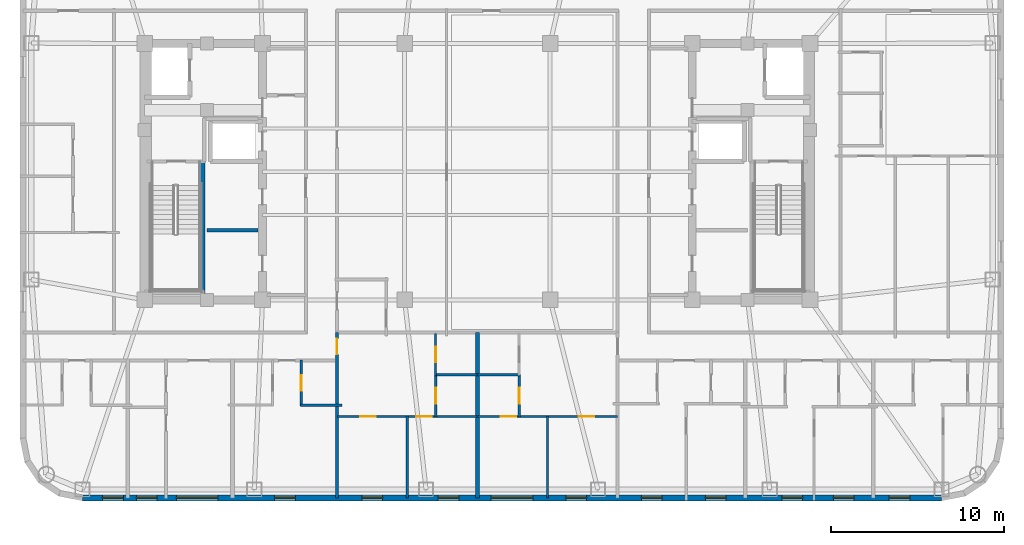
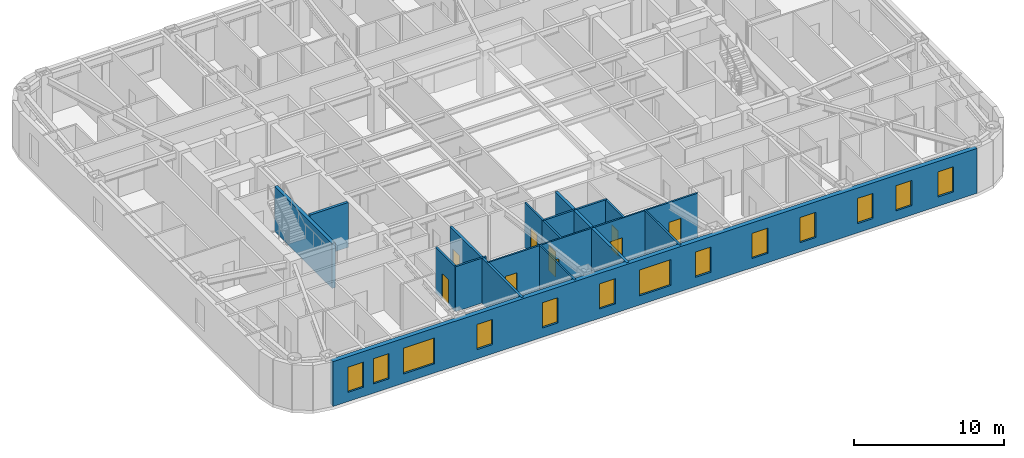
# One storey, part 3 of 11: 16 walls, 13 windows, 9 doors, 22 openings.
"""IFC4 building model written with IfcOpenShell, lengths in metres."""

from ifc_helpers import new_model, si_unit, direction, frame, frame_2d, origin, place, context, subcontext, project, spatial, rectangle, extrude, material, layer, layer_set, type_object, element, fill, save


model = new_model("IFC4")

# Units and contexts
model_context = context("Model", 3, precision=1e-05, world=origin(), true_north=direction((0.0, 1.0)))
body_context = subcontext(model_context, "Body", "Model", "MODEL_VIEW")
ifc_project = project(units=[si_unit("LENGTHUNIT", "METRE"), si_unit("AREAUNIT", "SQUARE_METRE"), si_unit("VOLUMEUNIT", "CUBIC_METRE"), si_unit("PLANEANGLEUNIT", "RADIAN"), si_unit("MASSUNIT", "GRAM", prefix="KILO")], contexts=[model_context])

# Site, building, storey
site_placement = place(None, origin())
site = spatial("IfcSite", under=ifc_project, at=site_placement, CompositionType="ELEMENT")
building_placement = place(site_placement, origin())
building = spatial("IfcBuilding", under=site, at=building_placement, Name="Voryun Gate Residences", CompositionType="ELEMENT")
storey_placement = place(building_placement, frame((0.0, 0.0, 243.10009765625)))
storey = spatial("IfcBuildingStorey", under=building, at=storey_placement, Name="L60", CompositionType="ELEMENT", Elevation=243.10009765625)

# Wall, opening, door
ifc_material_1 = material(Name="Gypsum acoustic fireboard")
ifc_layer_1 = layer(ifc_material_1, 0.179931640625, Name="W_CORR_RATED_180")
ifc_layer_set_1 = layer_set([ifc_layer_1], Name="Gypsum acoustic fireboard")
wall_type_1 = type_object("IfcWallType", Name="W_CORR_RATED_180", PredefinedType="PARTITIONING", material=ifc_layer_set_1)
wall_1_placement = place(storey_placement, frame((-8.10009765625, -18.830078125, 0.0), z_axis=(0.0, 0.0, 1.0), x_axis=(0.0, 1.0, 0.0)))
wall_1 = element("IfcWall", 1, at=wall_1_placement, inside=storey, type_object=wall_type_1, Name="Partition wall WP-L60-SZV-1", PredefinedType="PARTITIONING", context=body_context, shape_type="SweptSolid", body=[
    extrude(rectangle(XDim=9.5400390625, YDim=0.179931640625, at=frame_2d((4.77001953125, 0.0))), origin(), (0.0, 0.0, 1.0), 3.64990234375),
])
opening_1_placement = place(wall_1_placement, frame((8.28955078125, 0.0, 0.0)))
opening_1 = element("IfcOpeningElement", 2, at=opening_1_placement, cuts=wall_1, Name="Opening D-INT-2", PredefinedType="OPENING", context=body_context, shape_type="SweptSolid", body=[
    extrude(rectangle(XDim=0.89990234375, YDim=2.050048828125, at=frame_2d((0.449951171875, 1.02490234375))), frame((0.0, 0.099853515625, 0.0), z_axis=(0.0, -1.0, 0.0), x_axis=(1.0, 0.0, 0.0)), (0.0, 0.0, 1.0), 0.199951171875),
])
ifc_material_2 = material(Name="Architectural oak veneer")
door_type = type_object("IfcDoorType", Name="DR_INT_BATH_900", OperationType="NOTDEFINED", PredefinedType="DOOR", material=ifc_material_2)
door_1_placement = place(opening_1_placement, origin())
door_1 = element("IfcDoor", 3, at=door_1_placement, inside=storey, type_object=door_type, Name="Door DR-L60-SZENT-1", OperationType="SINGLE_SWING_LEFT", OverallHeight=2.050048828125, OverallWidth=0.89990234375, PredefinedType="DOOR", context=body_context, shape_type="SweptSolid", body=[
    extrude(rectangle(XDim=0.89990234375, YDim=2.050048828125, at=frame_2d((0.449951171875, 1.02490234375))), frame((0.0, 0.02490234375, 0.0), z_axis=(0.0, -1.0, 0.0), x_axis=(1.0, 0.0, 0.0)), (0.0, 0.0, 1.0), 0.050048828125),
])
fill(opening_1, door_1)

# Wall, openings, windows
ifc_material_3 = material(Name="Charcoal terracotta masonry", Category="masonry")
ifc_layer_2 = layer(ifc_material_3, 0.340087890625, Name="W_EXT_TERRACOTTA_340")
ifc_layer_set_2 = layer_set([ifc_layer_2], Name="Charcoal terracotta masonry")
wall_type_2 = type_object("IfcWallType", Name="W_EXT_TERRACOTTA_340", PredefinedType="ELEMENTEDWALL", material=ifc_layer_set_2)
wall_2_placement = place(storey_placement, frame((26.783203125, -18.830078125, 0.0), z_axis=(0.0, 0.0, 1.0), x_axis=(-1.0, 0.0, 0.0)))
wall_2 = element("IfcWall", 4, at=wall_2_placement, inside=storey, type_object=wall_type_2, Name="Exterior wall WEXT-L60-01", PredefinedType="ELEMENTEDWALL", context=body_context, shape_type="SweptSolid", body=[
    extrude(rectangle(XDim=49.56640625, YDim=0.340087890625, at=frame_2d((24.783203125, 0.0))), origin(), (0.0, 0.0, 1.0), 3.64990234375),
])
opening_2_placement = place(wall_2_placement, frame((23.583251953125, 0.0, 0.75)))
opening_2 = element("IfcOpeningElement", 5, at=opening_2_placement, cuts=wall_2, Name="Opening WN2", PredefinedType="OPENING", context=body_context, shape_type="SweptSolid", body=[
    extrude(rectangle(XDim=2.39990234375, YDim=2.10009765625, at=frame_2d((1.199951171875, 1.050048828125))), frame((0.0, 0.179931640625, 0.0), z_axis=(0.0, -1.0, 0.0), x_axis=(1.0, 0.0, 0.0)), (0.0, 0.0, 1.0), 0.360107421875),
])
opening_3_placement = place(wall_2_placement, frame((41.755615234375, 0.0, 0.75)))
opening_3 = element("IfcOpeningElement", 6, at=opening_3_placement, cuts=wall_2, Name="Opening WN2", PredefinedType="OPENING", context=body_context, shape_type="SweptSolid", body=[
    extrude(rectangle(XDim=2.39990234375, YDim=2.10009765625, at=frame_2d((1.199951171875, 1.050048828125))), frame((0.0, 0.179931640625, 0.0), z_axis=(0.0, -1.0, 0.0), x_axis=(1.0, 0.0, 0.0)), (0.0, 0.0, 1.0), 0.360107421875),
])
opening_4_placement = place(wall_2_placement, frame((47.222412109375, 0.0, 0.75)))
opening_4 = element("IfcOpeningElement", 7, at=opening_4_placement, cuts=wall_2, Name="Opening WN6", PredefinedType="OPENING", context=body_context, shape_type="SweptSolid", body=[
    extrude(rectangle(XDim=1.199951171875, YDim=2.050048828125, at=frame_2d((0.60009765625, 1.02490234375))), frame((0.0, 0.179931640625, 0.0), z_axis=(0.0, -1.0, 0.0), x_axis=(1.0, 0.0, 0.0)), (0.0, 0.0, 1.0), 0.360107421875),
])
opening_5_placement = place(wall_2_placement, frame((45.26318359375, 0.0, 0.75)))
opening_5 = element("IfcOpeningElement", 8, at=opening_5_placement, cuts=wall_2, Name="Opening WN6", PredefinedType="OPENING", context=body_context, shape_type="SweptSolid", body=[
    extrude(rectangle(XDim=1.199951171875, YDim=2.050048828125, at=frame_2d((0.60009765625, 1.02490234375))), frame((0.0, 0.179931640625, 0.0), z_axis=(0.0, -1.0, 0.0), x_axis=(1.0, 0.0, 0.0)), (0.0, 0.0, 1.0), 0.360107421875),
])
opening_6_placement = place(wall_2_placement, frame((37.289306640625, 0.0, 0.75)))
opening_6 = element("IfcOpeningElement", 9, at=opening_6_placement, cuts=wall_2, Name="Opening WN6", PredefinedType="OPENING", context=body_context, shape_type="SweptSolid", body=[
    extrude(rectangle(XDim=1.199951171875, YDim=2.050048828125, at=frame_2d((0.60009765625, 1.02490234375))), frame((0.0, 0.179931640625, 0.0), z_axis=(0.0, -1.0, 0.0), x_axis=(1.0, 0.0, 0.0)), (0.0, 0.0, 1.0), 0.360107421875),
])
opening_7_placement = place(wall_2_placement, frame((16.115234375, 0.0, 0.75)))
opening_7 = element("IfcOpeningElement", 10, at=opening_7_placement, cuts=wall_2, Name="Opening WN6", PredefinedType="OPENING", context=body_context, shape_type="SweptSolid", body=[
    extrude(rectangle(XDim=1.199951171875, YDim=2.050048828125, at=frame_2d((0.60009765625, 1.02490234375))), frame((0.0, 0.179931640625, 0.0), z_axis=(0.0, -1.0, 0.0), x_axis=(1.0, 0.0, 0.0)), (0.0, 0.0, 1.0), 0.360107421875),
])
opening_8_placement = place(wall_2_placement, frame((12.42236328125, 0.0, 0.75)))
opening_8 = element("IfcOpeningElement", 11, at=opening_8_placement, cuts=wall_2, Name="Opening WN6", PredefinedType="OPENING", context=body_context, shape_type="SweptSolid", body=[
    extrude(rectangle(XDim=1.199951171875, YDim=2.050048828125, at=frame_2d((0.60009765625, 1.02490234375))), frame((0.0, 0.179931640625, 0.0), z_axis=(0.0, -1.0, 0.0), x_axis=(1.0, 0.0, 0.0)), (0.0, 0.0, 1.0), 0.360107421875),
])
opening_9_placement = place(wall_2_placement, frame((8.009765625, 0.0, 0.75)))
opening_9 = element("IfcOpeningElement", 12, at=opening_9_placement, cuts=wall_2, Name="Opening WN6", PredefinedType="OPENING", context=body_context, shape_type="SweptSolid", body=[
    extrude(rectangle(XDim=1.199951171875, YDim=2.050048828125, at=frame_2d((0.60009765625, 1.02490234375))), frame((0.0, 0.179931640625, 0.0), z_axis=(0.0, -1.0, 0.0), x_axis=(1.0, 0.0, 0.0)), (0.0, 0.0, 1.0), 0.360107421875),
])
opening_10_placement = place(wall_2_placement, frame((5.037353515625, 0.0, 0.75)))
opening_10 = element("IfcOpeningElement", 13, at=opening_10_placement, cuts=wall_2, Name="Opening WN6", PredefinedType="OPENING", context=body_context, shape_type="SweptSolid", body=[
    extrude(rectangle(XDim=1.199951171875, YDim=2.050048828125, at=frame_2d((0.60009765625, 1.02490234375))), frame((0.0, 0.179931640625, 0.0), z_axis=(0.0, -1.0, 0.0), x_axis=(1.0, 0.0, 0.0)), (0.0, 0.0, 1.0), 0.360107421875),
])
opening_11_placement = place(wall_2_placement, frame((1.81103515625, 0.0, 0.75)))
opening_11 = element("IfcOpeningElement", 14, at=opening_11_placement, cuts=wall_2, Name="Opening WN6", PredefinedType="OPENING", context=body_context, shape_type="SweptSolid", body=[
    extrude(rectangle(XDim=1.199951171875, YDim=2.050048828125, at=frame_2d((0.60009765625, 1.02490234375))), frame((0.0, 0.179931640625, 0.0), z_axis=(0.0, -1.0, 0.0), x_axis=(1.0, 0.0, 0.0)), (0.0, 0.0, 1.0), 0.360107421875),
])
opening_12_placement = place(wall_2_placement, frame((32.25341796875, 0.0, 0.75)))
opening_12 = element("IfcOpeningElement", 15, at=opening_12_placement, cuts=wall_2, Name="Opening WN6", PredefinedType="OPENING", context=body_context, shape_type="SweptSolid", body=[
    extrude(rectangle(XDim=1.199951171875, YDim=2.050048828125, at=frame_2d((0.60009765625, 1.02490234375))), frame((0.0, 0.179931640625, 0.0), z_axis=(0.0, -1.0, 0.0), x_axis=(1.0, 0.0, 0.0)), (0.0, 0.0, 1.0), 0.360107421875),
])
opening_13_placement = place(wall_2_placement, frame((27.853271484375, 0.0, 0.75)))
opening_13 = element("IfcOpeningElement", 16, at=opening_13_placement, cuts=wall_2, Name="Opening WN6", PredefinedType="OPENING", context=body_context, shape_type="SweptSolid", body=[
    extrude(rectangle(XDim=1.199951171875, YDim=2.050048828125, at=frame_2d((0.60009765625, 1.02490234375))), frame((0.0, 0.179931640625, 0.0), z_axis=(0.0, -1.0, 0.0), x_axis=(1.0, 0.0, 0.0)), (0.0, 0.0, 1.0), 0.360107421875),
])
opening_14_placement = place(wall_2_placement, frame((20.473388671875, 0.0, 0.75)))
opening_14 = element("IfcOpeningElement", 17, at=opening_14_placement, cuts=wall_2, Name="Opening WN6", PredefinedType="OPENING", context=body_context, shape_type="SweptSolid", body=[
    extrude(rectangle(XDim=1.199951171875, YDim=2.050048828125, at=frame_2d((0.60009765625, 1.02490234375))), frame((0.0, 0.179931640625, 0.0), z_axis=(0.0, -1.0, 0.0), x_axis=(1.0, 0.0, 0.0)), (0.0, 0.0, 1.0), 0.360107421875),
])
ifc_material_4 = material(Name="Laminated low-E glass", Category="glass")
window_type_1 = type_object("IfcWindowType", Name="WN_POD_SLOT_1200", PartitioningType="SINGLE_PANEL", PredefinedType="WINDOW", material=ifc_material_4)
window_1_placement = place(opening_4_placement, origin())
window_1 = element("IfcWindow", 18, at=window_1_placement, inside=storey, type_object=window_type_1, Name="Window WN-L60-DWFIX-14", OverallHeight=2.050048828125, OverallWidth=1.199951171875, PartitioningType="SINGLE_PANEL", PredefinedType="WINDOW", context=body_context, shape_type="SweptSolid", body=[
    extrude(rectangle(XDim=1.199951171875, YDim=2.050048828125, at=frame_2d((0.60009765625, 1.02490234375))), frame((0.0, 0.030029296875, 0.0), z_axis=(0.0, -1.0, 0.0), x_axis=(1.0, 0.0, 0.0)), (0.0, 0.0, 1.0), 0.06005859375),
])
fill(opening_4, window_1)
window_2_placement = place(opening_5_placement, origin())
window_2 = element("IfcWindow", 19, at=window_2_placement, inside=storey, type_object=window_type_1, Name="Window WN-L60-DWFIX-15", OverallHeight=2.050048828125, OverallWidth=1.199951171875, PartitioningType="SINGLE_PANEL", PredefinedType="WINDOW", context=body_context, shape_type="SweptSolid", body=[
    extrude(rectangle(XDim=1.199951171875, YDim=2.050048828125, at=frame_2d((0.60009765625, 1.02490234375))), frame((0.0, 0.030029296875, 0.0), z_axis=(0.0, -1.0, 0.0), x_axis=(1.0, 0.0, 0.0)), (0.0, 0.0, 1.0), 0.06005859375),
])
fill(opening_5, window_2)
window_3_placement = place(opening_6_placement, origin())
window_3 = element("IfcWindow", 20, at=window_3_placement, inside=storey, type_object=window_type_1, Name="Window WN-L60-DWFIX-16", OverallHeight=2.050048828125, OverallWidth=1.199951171875, PartitioningType="SINGLE_PANEL", PredefinedType="WINDOW", context=body_context, shape_type="SweptSolid", body=[
    extrude(rectangle(XDim=1.199951171875, YDim=2.050048828125, at=frame_2d((0.60009765625, 1.02490234375))), frame((0.0, 0.030029296875, 0.0), z_axis=(0.0, -1.0, 0.0), x_axis=(1.0, 0.0, 0.0)), (0.0, 0.0, 1.0), 0.06005859375),
])
fill(opening_6, window_3)
window_4_placement = place(opening_7_placement, origin())
window_4 = element("IfcWindow", 21, at=window_4_placement, inside=storey, type_object=window_type_1, Name="Window WN-L60-DWFIX-17", OverallHeight=2.050048828125, OverallWidth=1.199951171875, PartitioningType="SINGLE_PANEL", PredefinedType="WINDOW", context=body_context, shape_type="SweptSolid", body=[
    extrude(rectangle(XDim=1.199951171875, YDim=2.050048828125, at=frame_2d((0.60009765625, 1.02490234375))), frame((0.0, 0.030029296875, 0.0), z_axis=(0.0, -1.0, 0.0), x_axis=(1.0, 0.0, 0.0)), (0.0, 0.0, 1.0), 0.06005859375),
])
fill(opening_7, window_4)
window_5_placement = place(opening_8_placement, origin())
window_5 = element("IfcWindow", 22, at=window_5_placement, inside=storey, type_object=window_type_1, Name="Window WN-L60-DWFIX-18", OverallHeight=2.050048828125, OverallWidth=1.199951171875, PartitioningType="SINGLE_PANEL", PredefinedType="WINDOW", context=body_context, shape_type="SweptSolid", body=[
    extrude(rectangle(XDim=1.199951171875, YDim=2.050048828125, at=frame_2d((0.60009765625, 1.02490234375))), frame((0.0, 0.030029296875, 0.0), z_axis=(0.0, -1.0, 0.0), x_axis=(1.0, 0.0, 0.0)), (0.0, 0.0, 1.0), 0.06005859375),
])
fill(opening_8, window_5)
window_6_placement = place(opening_9_placement, origin())
window_6 = element("IfcWindow", 23, at=window_6_placement, inside=storey, type_object=window_type_1, Name="Window WN-L60-DWFIX-19", OverallHeight=2.050048828125, OverallWidth=1.199951171875, PartitioningType="SINGLE_PANEL", PredefinedType="WINDOW", context=body_context, shape_type="SweptSolid", body=[
    extrude(rectangle(XDim=1.199951171875, YDim=2.050048828125, at=frame_2d((0.60009765625, 1.02490234375))), frame((0.0, 0.030029296875, 0.0), z_axis=(0.0, -1.0, 0.0), x_axis=(1.0, 0.0, 0.0)), (0.0, 0.0, 1.0), 0.06005859375),
])
fill(opening_9, window_6)
window_7_placement = place(opening_10_placement, origin())
window_7 = element("IfcWindow", 24, at=window_7_placement, inside=storey, type_object=window_type_1, Name="Window WN-L60-DWFIX-20", OverallHeight=2.050048828125, OverallWidth=1.199951171875, PartitioningType="SINGLE_PANEL", PredefinedType="WINDOW", context=body_context, shape_type="SweptSolid", body=[
    extrude(rectangle(XDim=1.199951171875, YDim=2.050048828125, at=frame_2d((0.60009765625, 1.02490234375))), frame((0.0, 0.030029296875, 0.0), z_axis=(0.0, -1.0, 0.0), x_axis=(1.0, 0.0, 0.0)), (0.0, 0.0, 1.0), 0.06005859375),
])
fill(opening_10, window_7)
window_8_placement = place(opening_11_placement, origin())
window_8 = element("IfcWindow", 25, at=window_8_placement, inside=storey, type_object=window_type_1, Name="Window WN-L60-DWFIX-21", OverallHeight=2.050048828125, OverallWidth=1.199951171875, PartitioningType="SINGLE_PANEL", PredefinedType="WINDOW", context=body_context, shape_type="SweptSolid", body=[
    extrude(rectangle(XDim=1.199951171875, YDim=2.050048828125, at=frame_2d((0.60009765625, 1.02490234375))), frame((0.0, 0.030029296875, 0.0), z_axis=(0.0, -1.0, 0.0), x_axis=(1.0, 0.0, 0.0)), (0.0, 0.0, 1.0), 0.06005859375),
])
fill(opening_11, window_8)
window_9_placement = place(opening_12_placement, origin())
window_9 = element("IfcWindow", 26, at=window_9_placement, inside=storey, type_object=window_type_1, Name="Window WN-L60-DWFIX-23", OverallHeight=2.050048828125, OverallWidth=1.199951171875, PartitioningType="SINGLE_PANEL", PredefinedType="WINDOW", context=body_context, shape_type="SweptSolid", body=[
    extrude(rectangle(XDim=1.199951171875, YDim=2.050048828125, at=frame_2d((0.60009765625, 1.02490234375))), frame((0.0, 0.030029296875, 0.0), z_axis=(0.0, -1.0, 0.0), x_axis=(1.0, 0.0, 0.0)), (0.0, 0.0, 1.0), 0.06005859375),
])
fill(opening_12, window_9)
window_10_placement = place(opening_13_placement, origin())
window_10 = element("IfcWindow", 27, at=window_10_placement, inside=storey, type_object=window_type_1, Name="Window WN-L60-DWFIX-24", OverallHeight=2.050048828125, OverallWidth=1.199951171875, PartitioningType="SINGLE_PANEL", PredefinedType="WINDOW", context=body_context, shape_type="SweptSolid", body=[
    extrude(rectangle(XDim=1.199951171875, YDim=2.050048828125, at=frame_2d((0.60009765625, 1.02490234375))), frame((0.0, 0.030029296875, 0.0), z_axis=(0.0, -1.0, 0.0), x_axis=(1.0, 0.0, 0.0)), (0.0, 0.0, 1.0), 0.06005859375),
])
fill(opening_13, window_10)
window_11_placement = place(opening_14_placement, origin())
window_11 = element("IfcWindow", 28, at=window_11_placement, inside=storey, type_object=window_type_1, Name="Window WN-L60-DWFIX-25", OverallHeight=2.050048828125, OverallWidth=1.199951171875, PartitioningType="SINGLE_PANEL", PredefinedType="WINDOW", context=body_context, shape_type="SweptSolid", body=[
    extrude(rectangle(XDim=1.199951171875, YDim=2.050048828125, at=frame_2d((0.60009765625, 1.02490234375))), frame((0.0, 0.030029296875, 0.0), z_axis=(0.0, -1.0, 0.0), x_axis=(1.0, 0.0, 0.0)), (0.0, 0.0, 1.0), 0.06005859375),
])
fill(opening_14, window_11)
ifc_material_5 = material(Name="Laminated low-E glass", Category="glass")
window_type_2 = type_object("IfcWindowType", Name="WN_RES_WIDE_2400", PartitioningType="SINGLE_PANEL", PredefinedType="WINDOW", material=ifc_material_5)
window_12_placement = place(opening_2_placement, origin())
window_12 = element("IfcWindow", 29, at=window_12_placement, inside=storey, type_object=window_type_2, Name="Window WN-WEXT-L60-01-02", OverallHeight=2.10009765625, OverallWidth=2.39990234375, PartitioningType="SINGLE_PANEL", PredefinedType="WINDOW", context=body_context, shape_type="SweptSolid", body=[
    extrude(rectangle(XDim=2.39990234375, YDim=2.10009765625, at=frame_2d((1.199951171875, 1.050048828125))), frame((0.0, 0.030029296875, 0.0), z_axis=(0.0, -1.0, 0.0), x_axis=(1.0, 0.0, 0.0)), (0.0, 0.0, 1.0), 0.06005859375),
])
fill(opening_2, window_12)
window_13_placement = place(opening_3_placement, origin())
window_13 = element("IfcWindow", 30, at=window_13_placement, inside=storey, type_object=window_type_2, Name="Window WN-WEXT-L60-01-03", OverallHeight=2.10009765625, OverallWidth=2.39990234375, PartitioningType="SINGLE_PANEL", PredefinedType="WINDOW", context=body_context, shape_type="SweptSolid", body=[
    extrude(rectangle(XDim=2.39990234375, YDim=2.10009765625, at=frame_2d((1.199951171875, 1.050048828125))), frame((0.0, 0.030029296875, 0.0), z_axis=(0.0, -1.0, 0.0), x_axis=(1.0, 0.0, 0.0)), (0.0, 0.0, 1.0), 0.06005859375),
])
fill(opening_3, window_13)

# Walls
ifc_material_6 = material(Name="Concrete C40/50", Category="concrete")
ifc_layer_3 = layer(ifc_material_6, 0.199951171875, Name="W_FF_LOBBY_200")
ifc_layer_set_3 = layer_set([ifc_layer_3], Name="Concrete C40/50")
wall_type_3 = type_object("IfcWallType", Name="W_FF_LOBBY_200", PredefinedType="PARTITIONING", material=ifc_layer_set_3)
wall_3_placement = place(storey_placement, frame((-15.60009765625, -3.389892578125, 0.0), z_axis=(0.0, 0.0, 1.0), x_axis=(1.0, 0.0, 0.0)))
element("IfcWall", 31, at=wall_3_placement, inside=storey, type_object=wall_type_3, Name="Partition wall WP-L60-RECEY-W", PredefinedType="PARTITIONING", context=body_context, shape_type="SweptSolid", body=[
    extrude(rectangle(XDim=2.940185546875, YDim=0.199951171875, at=frame_2d((1.47021484375, 0.0))), origin(), (0.0, 0.0, 1.0), 3.64990234375),
])
ifc_material_7 = material(Name="Concrete C40/50", Category="concrete")
ifc_layer_4 = layer(ifc_material_7, 0.219970703125, Name="W_PARTY_ACOUSTIC_220")
ifc_layer_set_4 = layer_set([ifc_layer_4], Name="Concrete C40/50")
wall_type_4 = type_object("IfcWallType", Name="W_PARTY_ACOUSTIC_220", PredefinedType="PARTITIONING", material=ifc_layer_set_4)
wall_4_placement = place(storey_placement, frame((0.0, -18.830078125, 0.0), z_axis=(0.0, 0.0, 1.0), x_axis=(0.0, 1.0, 0.0)))
element("IfcWall", 32, at=wall_4_placement, inside=storey, type_object=wall_type_4, Name="Partition wall WP-L60-SZMID", PredefinedType="PARTITIONING", context=body_context, shape_type="SweptSolid", body=[
    extrude(rectangle(XDim=9.5400390625, YDim=0.219970703125, at=frame_2d((4.77001953125, 0.0))), origin(), (0.0, 0.0, 1.0), 3.64990234375),
])
ifc_material_8 = material(Name="Concrete C50/60", Category="concrete")
ifc_layer_5 = layer(ifc_material_8, 0.25, Name="W_SHAFT_RC250")
ifc_layer_set_5 = layer_set([ifc_layer_5], Name="Concrete C50/60")
wall_type_5 = type_object("IfcWallType", Name="W_SHAFT_RC250", PredefinedType="SOLIDWALL", material=ifc_layer_set_5)
wall_5_placement = place(storey_placement, frame((-15.860107421875, -7.0849609375, 0.0), z_axis=(0.0, 0.0, 1.0), x_axis=(0.0, 1.0, 0.0)))
element("IfcWall", 33, at=wall_5_placement, inside=storey, type_object=wall_type_5, Name="L60 Stair shaft structural wall W-STR", PredefinedType="SOLIDWALL", context=body_context, shape_type="SweptSolid", body=[
    extrude(rectangle(XDim=7.68505859375, YDim=0.25, at=frame_2d((3.842529296875, 0.0))), origin(), (0.0, 0.0, 1.0), 3.64990234375),
])

# Wall, openings, doors
ifc_material_9 = material(Name="Gypsum acoustic partition")
ifc_layer_6 = layer(ifc_material_9, 0.125, Name="W_UNIT_PART_125")
ifc_layer_set_6 = layer_set([ifc_layer_6], Name="Gypsum acoustic partition")
wall_type_6 = type_object("IfcWallType", Name="W_UNIT_PART_125", PredefinedType="PARTITIONING", material=ifc_layer_set_6)
wall_6_placement = place(storey_placement, frame((-8.080078125, -14.1298828125, 0.0), z_axis=(0.0, 0.0, 1.0), x_axis=(1.0, 0.0, 0.0)))
wall_6 = element("IfcWall", 34, at=wall_6_placement, inside=storey, type_object=wall_type_6, Name="Partition wall WP-L60-SC1-HZ", PredefinedType="PARTITIONING", context=body_context, shape_type="SweptSolid", body=[
    extrude(rectangle(XDim=8.06005859375, YDim=0.125, at=frame_2d((4.030029296875, 0.0))), origin(), (0.0, 0.0, 1.0), 3.64990234375),
])
opening_15_placement = place(wall_6_placement, frame((1.3232421875, 0.0, 0.0)))
opening_15 = element("IfcOpeningElement", 35, at=opening_15_placement, cuts=wall_6, Name="Opening D-INT-2", PredefinedType="OPENING", context=body_context, shape_type="SweptSolid", body=[
    extrude(rectangle(XDim=0.89990234375, YDim=2.050048828125, at=frame_2d((0.449951171875, 1.02490234375))), frame((0.0, 0.072509765625, 0.0), z_axis=(0.0, -1.0, 0.0), x_axis=(1.0, 0.0, 0.0)), (0.0, 0.0, 1.0), 0.14501953125),
])
opening_16_placement = place(wall_6_placement, frame((4.547119140625, 0.0, 0.0)))
opening_16 = element("IfcOpeningElement", 36, at=opening_16_placement, cuts=wall_6, Name="Opening D-INT-2", PredefinedType="OPENING", context=body_context, shape_type="SweptSolid", body=[
    extrude(rectangle(XDim=0.89990234375, YDim=2.050048828125, at=frame_2d((0.449951171875, 1.02490234375))), frame((0.0, 0.072509765625, 0.0), z_axis=(0.0, -1.0, 0.0), x_axis=(1.0, 0.0, 0.0)), (0.0, 0.0, 1.0), 0.14501953125),
])
door_2_placement = place(opening_15_placement, origin())
door_2 = element("IfcDoor", 37, at=door_2_placement, inside=storey, type_object=door_type, Name="Door DR-L60-SC1-DMB", OperationType="SINGLE_SWING_LEFT", OverallHeight=2.050048828125, OverallWidth=0.89990234375, PredefinedType="DOOR", context=body_context, shape_type="SweptSolid", body=[
    extrude(rectangle(XDim=0.89990234375, YDim=2.050048828125, at=frame_2d((0.449951171875, 1.02490234375))), frame((0.0, 0.02490234375, 0.0), z_axis=(0.0, -1.0, 0.0), x_axis=(1.0, 0.0, 0.0)), (0.0, 0.0, 1.0), 0.050048828125),
])
fill(opening_15, door_2)
door_3_placement = place(opening_16_placement, origin())
door_3 = element("IfcDoor", 38, at=door_3_placement, inside=storey, type_object=door_type, Name="Door DR-L60-SC1-DBD2", OperationType="SINGLE_SWING_RIGHT", OverallHeight=2.050048828125, OverallWidth=0.89990234375, PredefinedType="DOOR", context=body_context, shape_type="SweptSolid", body=[
    extrude(rectangle(XDim=0.89990234375, YDim=2.050048828125, at=frame_2d((0.449951171875, 1.02490234375))), frame((0.0, 0.02490234375, 0.0), z_axis=(0.0, -1.0, 0.0), x_axis=(1.0, 0.0, 0.0)), (0.0, 0.0, 1.0), 0.050048828125),
])
fill(opening_16, door_3)

# Wall, opening, door
wall_7_placement = place(storey_placement, frame((-2.409912109375, -11.760009765625, 0.0), z_axis=(0.0, 0.0, 1.0), x_axis=(0.0, 1.0, 0.0)))
wall_7 = element("IfcWall", 39, at=wall_7_placement, inside=storey, type_object=wall_type_6, Name="Partition wall WP-L60-SC1-VK1", PredefinedType="PARTITIONING", context=body_context, shape_type="SweptSolid", body=[
    extrude(rectangle(XDim=2.409912109375, YDim=0.125, at=frame_2d((1.205078125, 0.0))), origin(), (0.0, 0.0, 1.0), 3.64990234375),
])
opening_17_placement = place(wall_7_placement, frame((0.7548828125, 0.0, 0.0)))
opening_17 = element("IfcOpeningElement", 40, at=opening_17_placement, cuts=wall_7, Name="Opening D-INT-2", PredefinedType="OPENING", context=body_context, shape_type="SweptSolid", body=[
    extrude(rectangle(XDim=0.89990234375, YDim=2.050048828125, at=frame_2d((0.449951171875, 1.02490234375))), frame((0.0, 0.072509765625, 0.0), z_axis=(0.0, -1.0, 0.0), x_axis=(1.0, 0.0, 0.0)), (0.0, 0.0, 1.0), 0.14501953125),
])
door_4_placement = place(opening_17_placement, origin())
door_4 = element("IfcDoor", 41, at=door_4_placement, inside=storey, type_object=door_type, Name="Door DR-L60-SC1-DK", OperationType="SINGLE_SWING_LEFT", OverallHeight=2.050048828125, OverallWidth=0.89990234375, PredefinedType="DOOR", context=body_context, shape_type="SweptSolid", body=[
    extrude(rectangle(XDim=0.89990234375, YDim=2.050048828125, at=frame_2d((0.449951171875, 1.02490234375))), frame((0.0, 0.02490234375, 0.0), z_axis=(0.0, -1.0, 0.0), x_axis=(1.0, 0.0, 0.0)), (0.0, 0.0, 1.0), 0.050048828125),
])
fill(opening_17, door_4)

# Wall
wall_8_placement = place(storey_placement, frame((-4.050048828125, -18.830078125, 0.0), z_axis=(0.0, 0.0, 1.0), x_axis=(0.0, 1.0, 0.0)))
element("IfcWall", 42, at=wall_8_placement, inside=storey, type_object=wall_type_6, Name="Partition wall WP-L60-SC1-VBD", PredefinedType="PARTITIONING", context=body_context, shape_type="SweptSolid", body=[
    extrude(rectangle(XDim=4.739990234375, YDim=0.125, at=frame_2d((2.3701171875, 0.0))), origin(), (0.0, 0.0, 1.0), 3.64990234375),
])

# Wall, openings, doors
wall_9_placement = place(storey_placement, frame((0.02001953125, -14.1298828125, 0.0), z_axis=(0.0, 0.0, 1.0), x_axis=(1.0, 0.0, 0.0)))
wall_9 = element("IfcWall", 43, at=wall_9_placement, inside=storey, type_object=wall_type_6, Name="Partition wall WP-L60-SC2-HZ", PredefinedType="PARTITIONING", context=body_context, shape_type="SweptSolid", body=[
    extrude(rectangle(XDim=8.06005859375, YDim=0.125, at=frame_2d((4.030029296875, 0.0))), origin(), (0.0, 0.0, 1.0), 3.64990234375),
])
opening_18_placement = place(wall_9_placement, frame((1.3232421875, 0.0, 0.0)))
opening_18 = element("IfcOpeningElement", 44, at=opening_18_placement, cuts=wall_9, Name="Opening D-INT-2", PredefinedType="OPENING", context=body_context, shape_type="SweptSolid", body=[
    extrude(rectangle(XDim=0.89990234375, YDim=2.050048828125, at=frame_2d((0.449951171875, 1.02490234375))), frame((0.0, 0.072509765625, 0.0), z_axis=(0.0, -1.0, 0.0), x_axis=(1.0, 0.0, 0.0)), (0.0, 0.0, 1.0), 0.14501953125),
])
opening_19_placement = place(wall_9_placement, frame((5.8369140625, 0.0, 0.0)))
opening_19 = element("IfcOpeningElement", 45, at=opening_19_placement, cuts=wall_9, Name="Opening D-INT-2", PredefinedType="OPENING", context=body_context, shape_type="SweptSolid", body=[
    extrude(rectangle(XDim=0.89990234375, YDim=2.050048828125, at=frame_2d((0.449951171875, 1.02490234375))), frame((0.0, 0.072509765625, 0.0), z_axis=(0.0, -1.0, 0.0), x_axis=(1.0, 0.0, 0.0)), (0.0, 0.0, 1.0), 0.14501953125),
])
door_5_placement = place(opening_18_placement, origin())
door_5 = element("IfcDoor", 46, at=door_5_placement, inside=storey, type_object=door_type, Name="Door DR-L60-SC2-DMB", OperationType="SINGLE_SWING_LEFT", OverallHeight=2.050048828125, OverallWidth=0.89990234375, PredefinedType="DOOR", context=body_context, shape_type="SweptSolid", body=[
    extrude(rectangle(XDim=0.89990234375, YDim=2.050048828125, at=frame_2d((0.449951171875, 1.02490234375))), frame((0.0, 0.02490234375, 0.0), z_axis=(0.0, -1.0, 0.0), x_axis=(1.0, 0.0, 0.0)), (0.0, 0.0, 1.0), 0.050048828125),
])
fill(opening_18, door_5)
door_6_placement = place(opening_19_placement, origin())
door_6 = element("IfcDoor", 47, at=door_6_placement, inside=storey, type_object=door_type, Name="Door DR-L60-SC2-DBD2", OperationType="SINGLE_SWING_RIGHT", OverallHeight=2.050048828125, OverallWidth=0.89990234375, PredefinedType="DOOR", context=body_context, shape_type="SweptSolid", body=[
    extrude(rectangle(XDim=0.89990234375, YDim=2.050048828125, at=frame_2d((0.449951171875, 1.02490234375))), frame((0.0, 0.02490234375, 0.0), z_axis=(0.0, -1.0, 0.0), x_axis=(1.0, 0.0, 0.0)), (0.0, 0.0, 1.0), 0.050048828125),
])
fill(opening_19, door_6)

# Wall
wall_10_placement = place(storey_placement, frame((4.050048828125, -18.830078125, 0.0), z_axis=(0.0, 0.0, 1.0), x_axis=(0.0, 1.0, 0.0)))
element("IfcWall", 48, at=wall_10_placement, inside=storey, type_object=wall_type_6, Name="Partition wall WP-L60-SC2-VBD", PredefinedType="PARTITIONING", context=body_context, shape_type="SweptSolid", body=[
    extrude(rectangle(XDim=4.739990234375, YDim=0.125, at=frame_2d((2.3701171875, 0.0))), origin(), (0.0, 0.0, 1.0), 3.64990234375),
])

# Wall, opening, door
ifc_material_10 = material(Name="Gypsum moisture-resistant partition")
ifc_layer_7 = layer(ifc_material_10, 0.14990234375, Name="W_WET_PLUMB_150")
ifc_layer_set_7 = layer_set([ifc_layer_7], Name="Gypsum moisture-resistant partition")
wall_type_7 = type_object("IfcWallType", Name="W_WET_PLUMB_150", PredefinedType="PLUMBINGWALL", material=ifc_layer_set_7)
wall_11_placement = place(storey_placement, frame((-10.156982421875, -13.530029296875, 0.0), z_axis=(0.0, 0.0, 1.0), x_axis=(0.0, 1.0, 0.0)))
wall_11 = element("IfcWall", 49, at=wall_11_placement, inside=storey, type_object=wall_type_7, Name="Partition wall WP-L60-S3-CVB", PredefinedType="PLUMBINGWALL", context=body_context, shape_type="SweptSolid", body=[
    extrude(rectangle(XDim=2.650146484375, YDim=0.14990234375, at=frame_2d((1.3251953125, 0.0))), origin(), (0.0, 0.0, 1.0), 3.64990234375),
])
opening_20_placement = place(wall_11_placement, frame((0.875, 0.0, 0.0)))
opening_20 = element("IfcOpeningElement", 50, at=opening_20_placement, cuts=wall_11, Name="Opening D-INT-2", PredefinedType="OPENING", context=body_context, shape_type="SweptSolid", body=[
    extrude(rectangle(XDim=0.89990234375, YDim=2.050048828125, at=frame_2d((0.449951171875, 1.02490234375))), frame((0.0, 0.0849609375, 0.0), z_axis=(0.0, -1.0, 0.0), x_axis=(1.0, 0.0, 0.0)), (0.0, 0.0, 1.0), 0.169921875),
])
door_7_placement = place(opening_20_placement, origin())
door_7 = element("IfcDoor", 51, at=door_7_placement, inside=storey, type_object=door_type, Name="Door DR-L60-S3-DB", OperationType="SINGLE_SWING_RIGHT", OverallHeight=2.050048828125, OverallWidth=0.89990234375, PredefinedType="DOOR", context=body_context, shape_type="SweptSolid", body=[
    extrude(rectangle(XDim=0.89990234375, YDim=2.050048828125, at=frame_2d((0.449951171875, 1.02490234375))), frame((0.0, 0.02490234375, 0.0), z_axis=(0.0, -1.0, 0.0), x_axis=(1.0, 0.0, 0.0)), (0.0, 0.0, 1.0), 0.050048828125),
])
fill(opening_20, door_7)

# Wall
wall_12_placement = place(storey_placement, frame((-10.217041015625, -13.469970703125, 0.0), z_axis=(0.0, 0.0, 1.0), x_axis=(1.0, 0.0, 0.0)))
element("IfcWall", 52, at=wall_12_placement, inside=storey, type_object=wall_type_7, Name="Partition wall WP-L60-S3-CHB", PredefinedType="PLUMBINGWALL", context=body_context, shape_type="SweptSolid", body=[
    extrude(rectangle(XDim=2.39697265625, YDim=0.14990234375, at=frame_2d((1.198486328125, 0.0))), origin(), (0.0, 0.0, 1.0), 3.64990234375),
])

# Wall, opening, door
wall_13_placement = place(storey_placement, frame((-2.409912109375, -14.169921875, 0.0), z_axis=(0.0, 0.0, 1.0), x_axis=(0.0, 1.0, 0.0)))
wall_13 = element("IfcWall", 53, at=wall_13_placement, inside=storey, type_object=wall_type_7, Name="Partition wall WP-L60-SC1-VK2", PredefinedType="PLUMBINGWALL", context=body_context, shape_type="SweptSolid", body=[
    extrude(rectangle(XDim=2.469970703125, YDim=0.14990234375, at=frame_2d((1.23486328125, 0.0))), origin(), (0.0, 0.0, 1.0), 3.64990234375),
])
opening_21_placement = place(wall_13_placement, frame((0.784912109375, 0.0, 0.0)))
opening_21 = element("IfcOpeningElement", 54, at=opening_21_placement, cuts=wall_13, Name="Opening D-INT-2", PredefinedType="OPENING", context=body_context, shape_type="SweptSolid", body=[
    extrude(rectangle(XDim=0.89990234375, YDim=2.050048828125, at=frame_2d((0.449951171875, 1.02490234375))), frame((0.0, 0.0849609375, 0.0), z_axis=(0.0, -1.0, 0.0), x_axis=(1.0, 0.0, 0.0)), (0.0, 0.0, 1.0), 0.169921875),
])
door_8_placement = place(opening_21_placement, origin())
door_8 = element("IfcDoor", 55, at=door_8_placement, inside=storey, type_object=door_type, Name="Door DR-L60-SC1-DB", OperationType="SINGLE_SWING_RIGHT", OverallHeight=2.050048828125, OverallWidth=0.89990234375, PredefinedType="DOOR", context=body_context, shape_type="SweptSolid", body=[
    extrude(rectangle(XDim=0.89990234375, YDim=2.050048828125, at=frame_2d((0.449951171875, 1.02490234375))), frame((0.0, 0.02490234375, 0.0), z_axis=(0.0, -1.0, 0.0), x_axis=(1.0, 0.0, 0.0)), (0.0, 0.0, 1.0), 0.050048828125),
])
fill(opening_21, door_8)

# Wall
wall_14_placement = place(storey_placement, frame((-2.449951171875, -11.72998046875, 0.0), z_axis=(0.0, 0.0, 1.0), x_axis=(1.0, 0.0, 0.0)))
element("IfcWall", 56, at=wall_14_placement, inside=storey, type_object=wall_type_7, Name="Partition wall WP-L60-SC1-HKB", PredefinedType="PLUMBINGWALL", context=body_context, shape_type="SweptSolid", body=[
    extrude(rectangle(XDim=2.429931640625, YDim=0.14990234375, at=frame_2d((1.21484375, 0.0))), origin(), (0.0, 0.0, 1.0), 3.64990234375),
])

# Wall, opening, door
wall_15_placement = place(storey_placement, frame((2.409912109375, -14.169921875, 0.0), z_axis=(0.0, 0.0, 1.0), x_axis=(0.0, 1.0, 0.0)))
wall_15 = element("IfcWall", 57, at=wall_15_placement, inside=storey, type_object=wall_type_7, Name="Partition wall WP-L60-SC2-VK2", PredefinedType="PLUMBINGWALL", context=body_context, shape_type="SweptSolid", body=[
    extrude(rectangle(XDim=2.469970703125, YDim=0.14990234375, at=frame_2d((1.23486328125, 0.0))), origin(), (0.0, 0.0, 1.0), 3.64990234375),
])
opening_22_placement = place(wall_15_placement, frame((0.784912109375, 0.0, 0.0)))
opening_22 = element("IfcOpeningElement", 58, at=opening_22_placement, cuts=wall_15, Name="Opening D-INT-2", PredefinedType="OPENING", context=body_context, shape_type="SweptSolid", body=[
    extrude(rectangle(XDim=0.89990234375, YDim=2.050048828125, at=frame_2d((0.449951171875, 1.02490234375))), frame((0.0, 0.0849609375, 0.0), z_axis=(0.0, -1.0, 0.0), x_axis=(1.0, 0.0, 0.0)), (0.0, 0.0, 1.0), 0.169921875),
])
door_9_placement = place(opening_22_placement, origin())
door_9 = element("IfcDoor", 59, at=door_9_placement, inside=storey, type_object=door_type, Name="Door DR-L60-SC2-DB", OperationType="SINGLE_SWING_RIGHT", OverallHeight=2.050048828125, OverallWidth=0.89990234375, PredefinedType="DOOR", context=body_context, shape_type="SweptSolid", body=[
    extrude(rectangle(XDim=0.89990234375, YDim=2.050048828125, at=frame_2d((0.449951171875, 1.02490234375))), frame((0.0, 0.02490234375, 0.0), z_axis=(0.0, -1.0, 0.0), x_axis=(1.0, 0.0, 0.0)), (0.0, 0.0, 1.0), 0.050048828125),
])
fill(opening_22, door_9)

# Wall
wall_16_placement = place(storey_placement, frame((0.02001953125, -11.72998046875, 0.0), z_axis=(0.0, 0.0, 1.0), x_axis=(1.0, 0.0, 0.0)))
element("IfcWall", 60, at=wall_16_placement, inside=storey, type_object=wall_type_7, Name="Partition wall WP-L60-SC2-HKB", PredefinedType="PLUMBINGWALL", context=body_context, shape_type="SweptSolid", body=[
    extrude(rectangle(XDim=2.429931640625, YDim=0.14990234375, at=frame_2d((1.21484375, 0.0))), origin(), (0.0, 0.0, 1.0), 3.64990234375),
])

save(model, "model.ifc")
